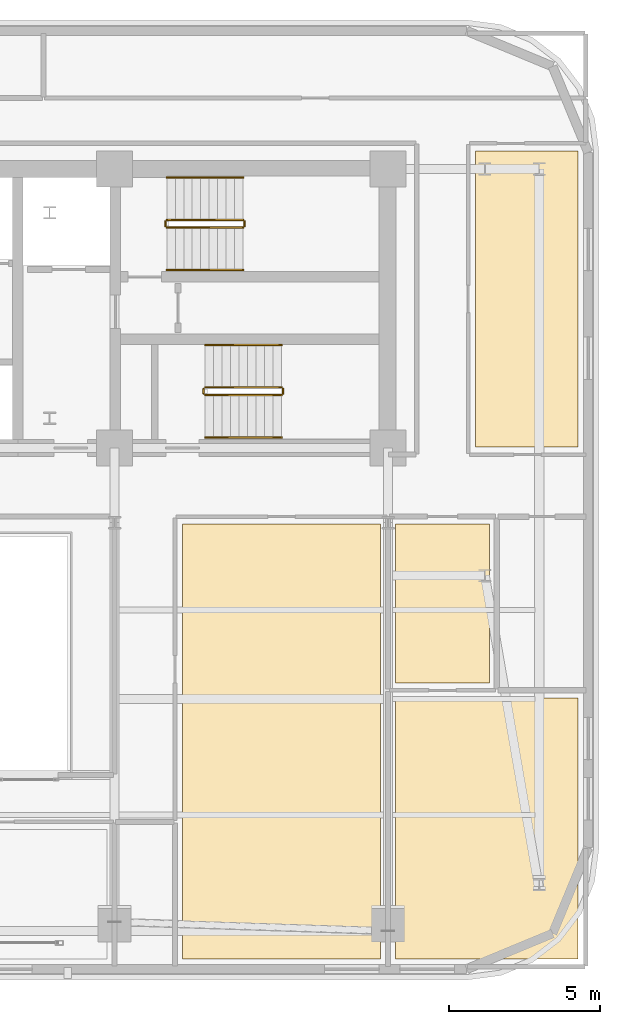
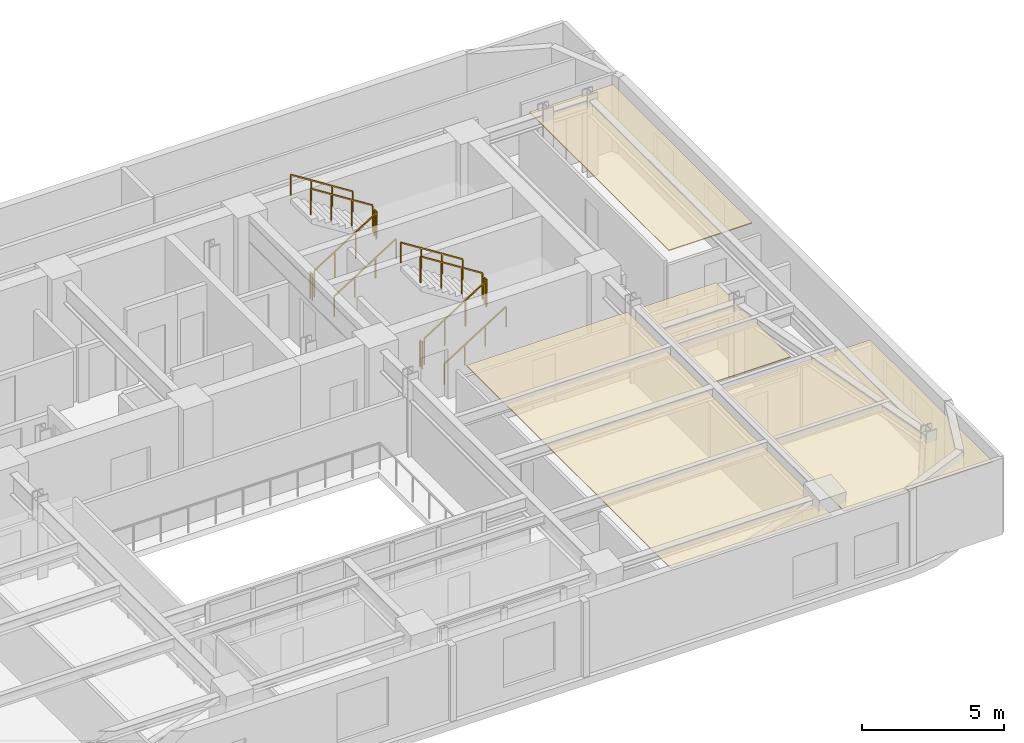
# One storey, part 12 of 12: 12 railings, 4 coverings.
"""IFC4 building model written with IfcOpenShell, lengths in metres."""

from ifc_helpers import new_model, si_unit, direction, frame, origin, origin_2d, place, context, subcontext, project, spatial, polyline, rectangle, outline, extrude, material, layer, layer_set, type_object, element, save


model = new_model("IFC4")

# Units and contexts
model_context = context("Model", 3, precision=1e-05, world=origin(), true_north=direction((0.0, 1.0)))
body_context = subcontext(model_context, "Body", "Model", "MODEL_VIEW")
ifc_project = project(units=[si_unit("LENGTHUNIT", "METRE"), si_unit("AREAUNIT", "SQUARE_METRE"), si_unit("VOLUMEUNIT", "CUBIC_METRE"), si_unit("PLANEANGLEUNIT", "RADIAN"), si_unit("MASSUNIT", "GRAM", prefix="KILO")], contexts=[model_context])

# Site, building, storey
site_placement = place(None, origin())
site = spatial("IfcSite", under=ifc_project, at=site_placement, CompositionType="ELEMENT")
building_placement = place(site_placement, origin())
building = spatial("IfcBuilding", under=site, at=building_placement, Name="Zarnavel Station Tower", CompositionType="ELEMENT")
storey_placement = place(building_placement, frame((0.0, 0.0, 155.449951171875)))
storey = spatial("IfcBuildingStorey", under=building, at=storey_placement, Name="L42", CompositionType="ELEMENT", Elevation=155.449951171875)

# Coverings
ifc_material_1 = material(Name="Perforated Gypsum and Mineral-Wool Acoustic Ceiling", Category="concrete")
ifc_layer = layer(ifc_material_1, 0.0400390625)
ifc_layer_set = layer_set([ifc_layer], Name="COV_CEIL_ACOUSTIC")
covering_type = type_object("IfcCoveringType", Name="COV_CEIL_ACOUSTIC", PredefinedType="CEILING", material=ifc_layer_set)
covering_1_placement = place(storey_placement, frame((0.0, 0.0, 2.969970703125)))
element("IfcCovering", 1, at=covering_1_placement, inside=storey, type_object=covering_type, Name="L42 FNE Acoustic Ceiling", PredefinedType="CEILING", context=body_context, shape_type="SweptSolid", body=[
    extrude(outline(polyline([(48.300048828125, 27.85009765625), (51.68994140625, 27.85009765625), (51.68994140625, 37.64990234375), (48.300048828125, 37.64990234375), (48.300048828125, 27.85009765625)])), origin(), (0.0, 0.0, 1.0), 0.0400390625),
])
covering_2_placement = place(storey_placement, frame((0.0, 0.0, 2.969970703125)))
element("IfcCovering", 2, at=covering_2_placement, inside=storey, type_object=covering_type, Name="L42 L41CIN Acoustic Ceiling", PredefinedType="CEILING", context=body_context, shape_type="SweptSolid", body=[
    extrude(outline(polyline([(38.60009765625, 10.909912109375), (45.14990234375, 10.909912109375), (45.14990234375, 25.300048828125), (38.60009765625, 25.300048828125), (38.60009765625, 10.909912109375)])), origin(), (0.0, 0.0, 1.0), 0.0400390625),
])
covering_3_placement = place(storey_placement, frame((0.0, 0.0, 2.969970703125)))
element("IfcCovering", 3, at=covering_3_placement, inside=storey, type_object=covering_type, Name="L42 L41GYM Acoustic Ceiling", PredefinedType="CEILING", context=body_context, shape_type="SweptSolid", body=[
    extrude(outline(polyline([(45.64990234375, 10.909912109375), (51.68994140625, 10.909912109375), (51.68994140625, 19.550048828125), (45.64990234375, 19.550048828125), (45.64990234375, 10.909912109375)])), origin(), (0.0, 0.0, 1.0), 0.0400390625),
])
covering_4_placement = place(storey_placement, frame((0.0, 0.0, 2.969970703125)))
element("IfcCovering", 4, at=covering_4_placement, inside=storey, type_object=covering_type, Name="L42 L41LNG Acoustic Ceiling", PredefinedType="CEILING", context=body_context, shape_type="SweptSolid", body=[
    extrude(outline(polyline([(45.64990234375, 20.050048828125), (48.75, 20.050048828125), (48.75, 25.300048828125), (45.64990234375, 25.300048828125), (45.64990234375, 20.050048828125)])), origin(), (0.0, 0.0, 1.0), 0.0400390625),
])

# Railings
ifc_material_2 = material(Name="Painted Steel S355J2 Balustrade", Category="steel")
railing_type_1 = type_object("IfcRailingType", Name="GR_INT_1150", PredefinedType="GUARDRAIL", material=ifc_material_2)
railing_1_placement = place(storey_placement, frame((38.080078125, 35.110107421875, 0.177490234375)))
element("IfcRailing", 5, at=railing_1_placement, inside=storey, type_object=railing_type_1, Name="L42 ST2 stair guard 1", PredefinedType="GUARDRAIL", context=body_context, shape_type="SweptSolid", body=[
    extrude(rectangle(XDim=0.048095703125, YDim=0.048095703125, at=origin_2d()), frame((0.001708984375, 0.0, 1.126953125), z_axis=(0.84456994832, 0.0, 0.535445237532), x_axis=(0.0, 1.0, 0.0)), (0.0, 0.0, 1.0), 2.979736328125),
    extrude(rectangle(XDim=0.0419921875, YDim=0.0419921875, at=origin_2d()), origin(), (0.0, 0.0, 1.0), 1.101806640625),
    extrude(rectangle(XDim=0.0419921875, YDim=0.0419921875, at=origin_2d()), frame((0.840087890625, 0.0, 0.532470703125)), (0.0, 0.0, 1.0), 1.101806640625),
    extrude(rectangle(XDim=0.0419921875, YDim=0.0419921875, at=origin_2d()), frame((1.679931640625, 0.0, 1.065185546875)), (0.0, 0.0, 1.0), 1.101806640625),
    extrude(rectangle(XDim=0.0419921875, YDim=0.0419921875, at=origin_2d()), frame((2.52001953125, 0.0, 1.59765625)), (0.0, 0.0, 1.0), 1.101806640625),
])
railing_2_placement = place(storey_placement, frame((40.64990234375, 35.159912109375, 1.775146484375)))
element("IfcRailing", 6, at=railing_2_placement, inside=storey, type_object=railing_type_1, Name="L42 ST2 stair guard 2", PredefinedType="GUARDRAIL", context=body_context, shape_type="SweptSolid", body=[
    extrude(rectangle(XDim=0.048095703125, YDim=0.048095703125, at=origin_2d()), frame((0.0, 0.001953125, 1.1259765625), z_axis=(0.0, 1.0, 0.0), x_axis=(-1.0, 0.0, 0.0)), (0.0, 0.0, 1.0), 0.15625),
    extrude(rectangle(XDim=0.0419921875, YDim=0.0419921875, at=origin_2d()), origin(), (0.0, 0.0, 1.0), 1.101806640625),
    extrude(rectangle(XDim=0.0419921875, YDim=0.0419921875, at=origin_2d()), frame((0.0, 0.16015625, 0.0)), (0.0, 0.0, 1.0), 1.101806640625),
])
railing_3_placement = place(storey_placement, frame((40.60009765625, 35.3701171875, 1.95263671875)))
element("IfcRailing", 7, at=railing_3_placement, inside=storey, type_object=railing_type_1, Name="L42 ST2 stair guard 3", PredefinedType="GUARDRAIL", context=body_context, shape_type="SweptSolid", body=[
    extrude(rectangle(XDim=0.048095703125, YDim=0.048095703125, at=origin_2d()), frame((-0.001708984375, 0.0, 1.126953125), z_axis=(-0.84460694969, 0.0, 0.535386869969), x_axis=(0.0, -1.0, 0.0)), (0.0, 0.0, 1.0), 2.979736328125),
    extrude(rectangle(XDim=0.0419921875, YDim=0.0419921875, at=origin_2d()), origin(), (0.0, 0.0, 1.0), 1.101806640625),
    extrude(rectangle(XDim=0.0419921875, YDim=0.0419921875, at=origin_2d()), frame((-0.840087890625, 0.0, 0.532470703125)), (0.0, 0.0, 1.0), 1.101806640625),
    extrude(rectangle(XDim=0.0419921875, YDim=0.0419921875, at=origin_2d()), frame((-1.679931640625, 0.0, 1.06494140625)), (0.0, 0.0, 1.0), 1.101806640625),
    extrude(rectangle(XDim=0.0419921875, YDim=0.0419921875, at=origin_2d()), frame((-2.52001953125, 0.0, 1.597412109375)), (0.0, 0.0, 1.0), 1.101806640625),
])
railing_4_placement = place(storey_placement, frame((38.030029296875, 35.159912109375, 0.0)))
element("IfcRailing", 8, at=railing_4_placement, inside=storey, type_object=railing_type_1, Name="L42 ST2 stair guard 4", PredefinedType="GUARDRAIL", context=body_context, shape_type="SweptSolid", body=[
    extrude(rectangle(XDim=0.048095703125, YDim=0.048095703125, at=origin_2d()), frame((0.0, 0.001953125, 1.1259765625), z_axis=(0.0, 1.0, 0.0), x_axis=(-1.0, 0.0, 0.0)), (0.0, 0.0, 1.0), 0.15625),
    extrude(rectangle(XDim=0.0419921875, YDim=0.0419921875, at=origin_2d()), origin(), (0.0, 0.0, 1.0), 1.101806640625),
    extrude(rectangle(XDim=0.0419921875, YDim=0.0419921875, at=origin_2d()), frame((0.0, 0.16015625, 0.0)), (0.0, 0.0, 1.0), 1.101806640625),
])
railing_5_placement = place(storey_placement, frame((39.35009765625, 29.570068359375, 0.177490234375)))
element("IfcRailing", 9, at=railing_5_placement, inside=storey, type_object=railing_type_1, Name="L42 ST3 stair guard 1", PredefinedType="GUARDRAIL", context=body_context, shape_type="SweptSolid", body=[
    extrude(rectangle(XDim=0.048095703125, YDim=0.048095703125, at=origin_2d()), frame((0.001708984375, 0.0, 1.126953125), z_axis=(0.84456994832, 0.0, 0.535445237532), x_axis=(0.0, 1.0, 0.0)), (0.0, 0.0, 1.0), 2.979736328125),
    extrude(rectangle(XDim=0.0419921875, YDim=0.0419921875, at=origin_2d()), origin(), (0.0, 0.0, 1.0), 1.101806640625),
    extrude(rectangle(XDim=0.0419921875, YDim=0.0419921875, at=origin_2d()), frame((0.840087890625, 0.0, 0.532470703125)), (0.0, 0.0, 1.0), 1.101806640625),
    extrude(rectangle(XDim=0.0419921875, YDim=0.0419921875, at=origin_2d()), frame((1.679931640625, 0.0, 1.065185546875)), (0.0, 0.0, 1.0), 1.101806640625),
    extrude(rectangle(XDim=0.0419921875, YDim=0.0419921875, at=origin_2d()), frame((2.52001953125, 0.0, 1.59765625)), (0.0, 0.0, 1.0), 1.101806640625),
])
railing_6_placement = place(storey_placement, frame((41.919921875, 29.6201171875, 1.775146484375)))
element("IfcRailing", 10, at=railing_6_placement, inside=storey, type_object=railing_type_1, Name="L42 ST3 stair guard 2", PredefinedType="GUARDRAIL", context=body_context, shape_type="SweptSolid", body=[
    extrude(rectangle(XDim=0.048095703125, YDim=0.048095703125, at=origin_2d()), frame((0.0, 0.001953125, 1.1259765625), z_axis=(0.0, 1.0, 0.0), x_axis=(-1.0, 0.0, 0.0)), (0.0, 0.0, 1.0), 0.156005859375),
    extrude(rectangle(XDim=0.0419921875, YDim=0.0419921875, at=origin_2d()), origin(), (0.0, 0.0, 1.0), 1.101806640625),
    extrude(rectangle(XDim=0.0419921875, YDim=0.0419921875, at=origin_2d()), frame((0.0, 0.159912109375, 0.0)), (0.0, 0.0, 1.0), 1.101806640625),
])
railing_7_placement = place(storey_placement, frame((41.8701171875, 29.830078125, 1.95263671875)))
element("IfcRailing", 11, at=railing_7_placement, inside=storey, type_object=railing_type_1, Name="L42 ST3 stair guard 3", PredefinedType="GUARDRAIL", context=body_context, shape_type="SweptSolid", body=[
    extrude(rectangle(XDim=0.048095703125, YDim=0.048095703125, at=origin_2d()), frame((-0.001708984375, 0.0, 1.126953125), z_axis=(-0.84460694969, 0.0, 0.535386869969), x_axis=(0.0, -1.0, 0.0)), (0.0, 0.0, 1.0), 2.979736328125),
    extrude(rectangle(XDim=0.0419921875, YDim=0.0419921875, at=origin_2d()), origin(), (0.0, 0.0, 1.0), 1.101806640625),
    extrude(rectangle(XDim=0.0419921875, YDim=0.0419921875, at=origin_2d()), frame((-0.840087890625, 0.0, 0.532470703125)), (0.0, 0.0, 1.0), 1.101806640625),
    extrude(rectangle(XDim=0.0419921875, YDim=0.0419921875, at=origin_2d()), frame((-1.679931640625, 0.0, 1.06494140625)), (0.0, 0.0, 1.0), 1.101806640625),
    extrude(rectangle(XDim=0.0419921875, YDim=0.0419921875, at=origin_2d()), frame((-2.52001953125, 0.0, 1.597412109375)), (0.0, 0.0, 1.0), 1.101806640625),
])
railing_8_placement = place(storey_placement, frame((39.300048828125, 29.6201171875, 0.0)))
element("IfcRailing", 12, at=railing_8_placement, inside=storey, type_object=railing_type_1, Name="L42 ST3 stair guard 4", PredefinedType="GUARDRAIL", context=body_context, shape_type="SweptSolid", body=[
    extrude(rectangle(XDim=0.048095703125, YDim=0.048095703125, at=origin_2d()), frame((0.0, 0.001953125, 1.1259765625), z_axis=(0.0, 1.0, 0.0), x_axis=(-1.0, 0.0, 0.0)), (0.0, 0.0, 1.0), 0.156005859375),
    extrude(rectangle(XDim=0.0419921875, YDim=0.0419921875, at=origin_2d()), origin(), (0.0, 0.0, 1.0), 1.101806640625),
    extrude(rectangle(XDim=0.0419921875, YDim=0.0419921875, at=origin_2d()), frame((0.0, 0.159912109375, 0.0)), (0.0, 0.0, 1.0), 1.101806640625),
])
ifc_material_3 = material(Name="Brushed Stainless Steel S355J2 Handrail", Category="steel")
railing_type_2 = type_object("IfcRailingType", Name="HR_STAIR_900", PredefinedType="HANDRAIL", material=ifc_material_3)
railing_9_placement = place(storey_placement, frame((38.080078125, 33.7099609375, 0.177490234375)))
element("IfcRailing", 13, at=railing_9_placement, inside=storey, type_object=railing_type_2, Name="L42 ST2 stair handrail 1", PredefinedType="HANDRAIL", context=body_context, shape_type="SweptSolid", body=[
    extrude(rectangle(XDim=0.048095703125, YDim=0.048095703125, at=origin_2d()), frame((0.001708984375, 0.0, 0.876953125), z_axis=(0.84456994832, 0.0, 0.535445237532), x_axis=(0.0, 1.0, 0.0)), (0.0, 0.0, 1.0), 2.979736328125),
    extrude(rectangle(XDim=0.0419921875, YDim=0.0419921875, at=origin_2d()), origin(), (0.0, 0.0, 1.0), 0.851806640625),
    extrude(rectangle(XDim=0.0419921875, YDim=0.0419921875, at=origin_2d()), frame((0.840087890625, 0.0, 0.532470703125)), (0.0, 0.0, 1.0), 0.851806640625),
    extrude(rectangle(XDim=0.0419921875, YDim=0.0419921875, at=origin_2d()), frame((1.679931640625, 0.0, 1.065185546875)), (0.0, 0.0, 1.0), 0.851806640625),
    extrude(rectangle(XDim=0.0419921875, YDim=0.0419921875, at=origin_2d()), frame((2.52001953125, 0.0, 1.59765625)), (0.0, 0.0, 1.0), 0.851806640625),
])
railing_10_placement = place(storey_placement, frame((40.60009765625, 36.77001953125, 1.95263671875)))
element("IfcRailing", 14, at=railing_10_placement, inside=storey, type_object=railing_type_2, Name="L42 ST2 stair handrail 2", PredefinedType="HANDRAIL", context=body_context, shape_type="SweptSolid", body=[
    extrude(rectangle(XDim=0.048095703125, YDim=0.048095703125, at=origin_2d()), frame((-0.001708984375, 0.0, 0.876953125), z_axis=(-0.84460694969, 0.0, 0.535386869969), x_axis=(0.0, -1.0, 0.0)), (0.0, 0.0, 1.0), 2.979736328125),
    extrude(rectangle(XDim=0.0419921875, YDim=0.0419921875, at=origin_2d()), origin(), (0.0, 0.0, 1.0), 0.851806640625),
    extrude(rectangle(XDim=0.0419921875, YDim=0.0419921875, at=origin_2d()), frame((-0.840087890625, 0.0, 0.532470703125)), (0.0, 0.0, 1.0), 0.851806640625),
    extrude(rectangle(XDim=0.0419921875, YDim=0.0419921875, at=origin_2d()), frame((-1.679931640625, 0.0, 1.06494140625)), (0.0, 0.0, 1.0), 0.851806640625),
    extrude(rectangle(XDim=0.0419921875, YDim=0.0419921875, at=origin_2d()), frame((-2.52001953125, 0.0, 1.597412109375)), (0.0, 0.0, 1.0), 0.851806640625),
])
railing_11_placement = place(storey_placement, frame((39.35009765625, 28.169921875, 0.177490234375)))
element("IfcRailing", 15, at=railing_11_placement, inside=storey, type_object=railing_type_2, Name="L42 ST3 stair handrail 1", PredefinedType="HANDRAIL", context=body_context, shape_type="SweptSolid", body=[
    extrude(rectangle(XDim=0.048095703125, YDim=0.048095703125, at=origin_2d()), frame((0.001708984375, 0.0, 0.876953125), z_axis=(0.84456994832, 0.0, 0.535445237532), x_axis=(0.0, 1.0, 0.0)), (0.0, 0.0, 1.0), 2.979736328125),
    extrude(rectangle(XDim=0.0419921875, YDim=0.0419921875, at=origin_2d()), origin(), (0.0, 0.0, 1.0), 0.851806640625),
    extrude(rectangle(XDim=0.0419921875, YDim=0.0419921875, at=origin_2d()), frame((0.840087890625, 0.0, 0.532470703125)), (0.0, 0.0, 1.0), 0.851806640625),
    extrude(rectangle(XDim=0.0419921875, YDim=0.0419921875, at=origin_2d()), frame((1.679931640625, 0.0, 1.065185546875)), (0.0, 0.0, 1.0), 0.851806640625),
    extrude(rectangle(XDim=0.0419921875, YDim=0.0419921875, at=origin_2d()), frame((2.52001953125, 0.0, 1.59765625)), (0.0, 0.0, 1.0), 0.851806640625),
])
railing_12_placement = place(storey_placement, frame((41.8701171875, 31.22998046875, 1.95263671875)))
element("IfcRailing", 16, at=railing_12_placement, inside=storey, type_object=railing_type_2, Name="L42 ST3 stair handrail 2", PredefinedType="HANDRAIL", context=body_context, shape_type="SweptSolid", body=[
    extrude(rectangle(XDim=0.048095703125, YDim=0.048095703125, at=origin_2d()), frame((-0.001708984375, 0.0, 0.876953125), z_axis=(-0.84460694969, 0.0, 0.535386869969), x_axis=(0.0, -1.0, 0.0)), (0.0, 0.0, 1.0), 2.979736328125),
    extrude(rectangle(XDim=0.0419921875, YDim=0.0419921875, at=origin_2d()), origin(), (0.0, 0.0, 1.0), 0.851806640625),
    extrude(rectangle(XDim=0.0419921875, YDim=0.0419921875, at=origin_2d()), frame((-0.840087890625, 0.0, 0.532470703125)), (0.0, 0.0, 1.0), 0.851806640625),
    extrude(rectangle(XDim=0.0419921875, YDim=0.0419921875, at=origin_2d()), frame((-1.679931640625, 0.0, 1.06494140625)), (0.0, 0.0, 1.0), 0.851806640625),
    extrude(rectangle(XDim=0.0419921875, YDim=0.0419921875, at=origin_2d()), frame((-2.52001953125, 0.0, 1.597412109375)), (0.0, 0.0, 1.0), 0.851806640625),
])

save(model, "model.ifc")
